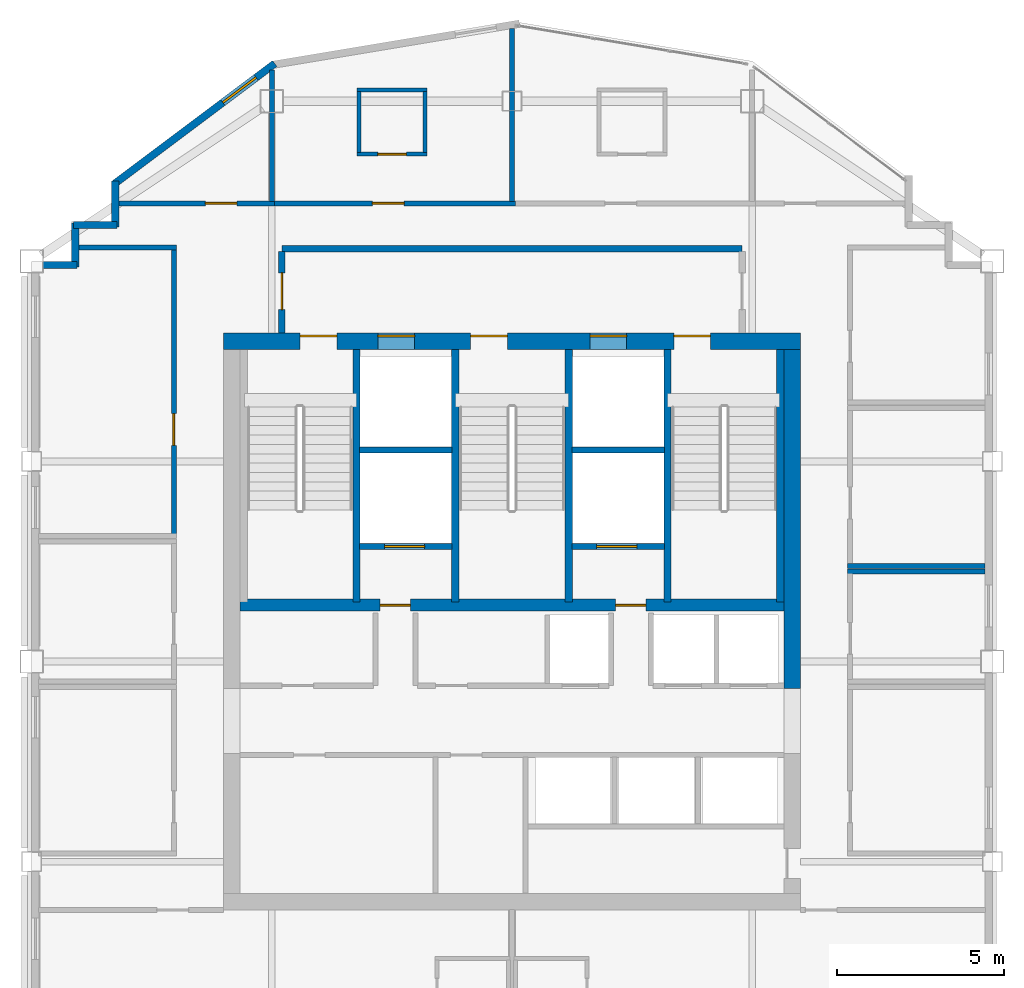
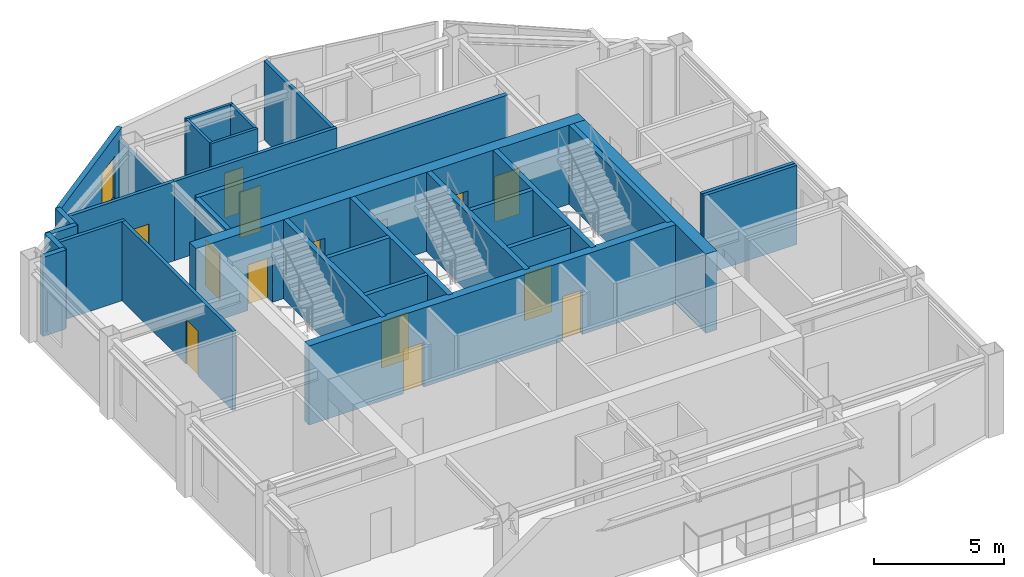
# One storey, part 6 of 8: 31 walls, 14 doors, 1 window, 15 openings.
"""IFC4 building model written with IfcOpenShell, lengths in metres."""

from ifc_helpers import new_model, si_unit, direction, frame, frame_2d, origin, place, context, subcontext, project, spatial, rectangle, extrude, material, layer, layer_set, type_object, element, fill, save


model = new_model("IFC4")

# Units and contexts
model_context = context("Model", 3, precision=1e-05, world=origin(), true_north=direction((0.0, 1.0)))
body_context = subcontext(model_context, "Body", "Model", "MODEL_VIEW")
ifc_project = project(units=[si_unit("LENGTHUNIT", "METRE"), si_unit("AREAUNIT", "SQUARE_METRE"), si_unit("VOLUMEUNIT", "CUBIC_METRE"), si_unit("PLANEANGLEUNIT", "RADIAN"), si_unit("MASSUNIT", "GRAM", prefix="KILO")], contexts=[model_context])

# Site, building, storey
site_placement = place(None, origin())
site = spatial("IfcSite", under=ifc_project, at=site_placement, CompositionType="ELEMENT")
building_placement = place(site_placement, origin())
building = spatial("IfcBuilding", under=site, at=building_placement, Name="Haolan Belvedere Tower", CompositionType="ELEMENT")
storey_placement = place(building_placement, frame((0.0, 0.0, 293.89990234375)))
storey = spatial("IfcBuildingStorey", under=building, at=storey_placement, Name="L74", CompositionType="ELEMENT", Elevation=293.89990234375)

# Wall, openings, doors
ifc_material_1 = material(Name="Concrete C50/60", Category="concrete")
ifc_layer_1 = layer(ifc_material_1, 0.5, Name="Concrete C50/60")
ifc_layer_set_1 = layer_set([ifc_layer_1], Name="Concrete C50/60")
wall_type_1 = type_object("IfcWallType", Name="WL-CORE-500", PredefinedType="SHEAR", material=ifc_layer_set_1)
wall_1_placement = place(storey_placement, frame((29.75, 43.199951171875, 0.0), z_axis=(0.0, 0.0, 1.0), x_axis=(1.0, 0.0, 0.0)))
wall_1 = element("IfcWall", 1, at=wall_1_placement, inside=storey, type_object=wall_type_1, Name="L74 central core north shear wall", PredefinedType="SHEAR", context=body_context, shape_type="SweptSolid", body=[
    extrude(rectangle(XDim=17.300048828125, YDim=0.5, at=frame_2d((8.64990234375, 0.0))), origin(), (0.0, 0.0, 1.0), 3.72021484375),
])
opening_1_placement = place(wall_1_placement, frame((2.300048828125, 0.0, 0.0)))
opening_1 = element("IfcOpeningElement", 2, at=opening_1_placement, cuts=wall_1, Name="Opening FD-03", PredefinedType="OPENING", context=body_context, shape_type="SweptSolid", body=[
    extrude(rectangle(XDim=1.10009765625, YDim=2.14990234375, at=frame_2d((0.550048828125, 1.074951171875))), frame((0.0, 0.260009765625, 0.0), z_axis=(0.0, -1.0, 0.0), x_axis=(1.0, 0.0, 0.0)), (0.0, 0.0, 1.0), 0.52001953125),
])
opening_2_placement = place(wall_1_placement, frame((7.409912109375, 0.0, 0.0)))
opening_2 = element("IfcOpeningElement", 3, at=opening_2_placement, cuts=wall_1, Name="Opening FD-03", PredefinedType="OPENING", context=body_context, shape_type="SweptSolid", body=[
    extrude(rectangle(XDim=1.10009765625, YDim=2.14990234375, at=frame_2d((0.550048828125, 1.074951171875))), frame((0.0, 0.260009765625, 0.0), z_axis=(0.0, -1.0, 0.0), x_axis=(1.0, 0.0, 0.0)), (0.0, 0.0, 1.0), 0.52001953125),
])
opening_3_placement = place(wall_1_placement, frame((13.5, 0.0, 0.0)))
opening_3 = element("IfcOpeningElement", 4, at=opening_3_placement, cuts=wall_1, Name="Opening FD-03", PredefinedType="OPENING", context=body_context, shape_type="SweptSolid", body=[
    extrude(rectangle(XDim=1.10009765625, YDim=2.14990234375, at=frame_2d((0.550048828125, 1.074951171875))), frame((0.0, 0.260009765625, 0.0), z_axis=(0.0, -1.0, 0.0), x_axis=(1.0, 0.0, 0.0)), (0.0, 0.0, 1.0), 0.52001953125),
])
opening_4_placement = place(wall_1_placement, frame((4.6298828125, 0.0, 0.0)))
opening_4 = element("IfcOpeningElement", 5, at=opening_4_placement, cuts=wall_1, Name="Opening LD-01", PredefinedType="OPENING", context=body_context, shape_type="SweptSolid", body=[
    extrude(rectangle(XDim=1.10009765625, YDim=2.199951171875, at=frame_2d((0.550048828125, 1.10009765625))), frame((0.0, 0.260009765625, 0.0), z_axis=(0.0, -1.0, 0.0), x_axis=(1.0, 0.0, 0.0)), (0.0, 0.0, 1.0), 0.52001953125),
])
opening_5_placement = place(wall_1_placement, frame((10.989990234375, 0.0, 0.0)))
opening_5 = element("IfcOpeningElement", 6, at=opening_5_placement, cuts=wall_1, Name="Opening LD-01", PredefinedType="OPENING", context=body_context, shape_type="SweptSolid", body=[
    extrude(rectangle(XDim=1.10009765625, YDim=2.199951171875, at=frame_2d((0.550048828125, 1.10009765625))), frame((0.0, 0.260009765625, 0.0), z_axis=(0.0, -1.0, 0.0), x_axis=(1.0, 0.0, 0.0)), (0.0, 0.0, 1.0), 0.52001953125),
])
ifc_material_2 = material(Name="Galvanised fire-rated steel", Category="steel")
door_type_1 = type_object("IfcDoorType", Name="DR-FD90-1100", OperationType="NOTDEFINED", PredefinedType="DOOR", material=ifc_material_2)
door_1_placement = place(opening_1_placement, origin())
door_1 = element("IfcDoor", 7, at=door_1_placement, inside=storey, type_object=door_type_1, Name="L74 door CD-L74-ST1", OperationType="SINGLE_SWING_LEFT", OverallHeight=2.14990234375, OverallWidth=1.10009765625, PredefinedType="DOOR", context=body_context, shape_type="SweptSolid", body=[
    extrude(rectangle(XDim=1.10009765625, YDim=2.14990234375, at=frame_2d((0.550048828125, 1.074951171875))), frame((0.0, 0.18505859375, 0.0), z_axis=(0.0, -1.0, 0.0), x_axis=(1.0, 0.0, 0.0)), (0.0, 0.0, 1.0), 0.050048828125),
])
fill(opening_1, door_1)
door_2_placement = place(opening_2_placement, origin())
door_2 = element("IfcDoor", 8, at=door_2_placement, inside=storey, type_object=door_type_1, Name="L74 door CD-L74-ST3", OperationType="SINGLE_SWING_LEFT", OverallHeight=2.14990234375, OverallWidth=1.10009765625, PredefinedType="DOOR", context=body_context, shape_type="SweptSolid", body=[
    extrude(rectangle(XDim=1.10009765625, YDim=2.14990234375, at=frame_2d((0.550048828125, 1.074951171875))), frame((0.0, 0.18505859375, 0.0), z_axis=(0.0, -1.0, 0.0), x_axis=(1.0, 0.0, 0.0)), (0.0, 0.0, 1.0), 0.050048828125),
])
fill(opening_2, door_2)
door_3_placement = place(opening_3_placement, origin())
door_3 = element("IfcDoor", 9, at=door_3_placement, inside=storey, type_object=door_type_1, Name="L74 door CD-L74-ST2", OperationType="SINGLE_SWING_RIGHT", OverallHeight=2.14990234375, OverallWidth=1.10009765625, PredefinedType="DOOR", context=body_context, shape_type="SweptSolid", body=[
    extrude(rectangle(XDim=1.10009765625, YDim=2.14990234375, at=frame_2d((0.550048828125, 1.074951171875))), frame((0.0, 0.18505859375, 0.0), z_axis=(0.0, -1.0, 0.0), x_axis=(1.0, 0.0, 0.0)), (0.0, 0.0, 1.0), 0.050048828125),
])
fill(opening_3, door_3)
ifc_material_3 = material(Name="Brushed champagne stainless steel 316L", Category="steel")
door_type_2 = type_object("IfcDoorType", Name="DR-LIFT-1100", OperationType="SLIDING_TO_LEFT", PredefinedType="DOOR", material=ifc_material_3)
door_4_placement = place(opening_4_placement, origin())
door_4 = element("IfcDoor", 10, at=door_4_placement, inside=storey, type_object=door_type_2, Name="L74 door LD-L74-FF1", OperationType="SLIDING_TO_LEFT", OverallHeight=2.199951171875, OverallWidth=1.10009765625, PredefinedType="DOOR", context=body_context, shape_type="SweptSolid", body=[
    extrude(rectangle(XDim=1.10009765625, YDim=2.199951171875, at=frame_2d((0.550048828125, 1.10009765625))), frame((0.0, 0.18505859375, 0.0), z_axis=(0.0, -1.0, 0.0), x_axis=(1.0, 0.0, 0.0)), (0.0, 0.0, 1.0), 0.050048828125),
])
fill(opening_4, door_4)
door_5_placement = place(opening_5_placement, origin())
door_5 = element("IfcDoor", 11, at=door_5_placement, inside=storey, type_object=door_type_2, Name="L74 door LD-L74-FF2", OperationType="SLIDING_TO_LEFT", OverallHeight=2.199951171875, OverallWidth=1.10009765625, PredefinedType="DOOR", context=body_context, shape_type="SweptSolid", body=[
    extrude(rectangle(XDim=1.10009765625, YDim=2.199951171875, at=frame_2d((0.550048828125, 1.10009765625))), frame((0.0, 0.18505859375, 0.0), z_axis=(0.0, -1.0, 0.0), x_axis=(1.0, 0.0, 0.0)), (0.0, 0.0, 1.0), 0.050048828125),
])
fill(opening_5, door_5)

# Wall
wall_2_placement = place(storey_placement, frame((46.800048828125, 32.800048828125, 0.0), z_axis=(0.0, 0.0, 1.0), x_axis=(0.0, 1.0, 0.0)))
element("IfcWall", 12, at=wall_2_placement, inside=storey, type_object=wall_type_1, Name="L74 central core shear wall EN", PredefinedType="SHEAR", context=body_context, shape_type="SweptSolid", body=[
    extrude(rectangle(XDim=10.14990234375, YDim=0.5, at=frame_2d((5.074951171875, 0.0))), origin(), (0.0, 0.0, 1.0), 3.72021484375),
])

# Wall, opening, window
ifc_material_4 = material(Name="Precast concrete C40/50", Category="concrete")
ifc_layer_2 = layer(ifc_material_4, 0.219970703125, Name="Precast concrete C40/50")
ifc_layer_set_2 = layer_set([ifc_layer_2], Name="Precast concrete C40/50")
wall_type_2 = type_object("IfcWallType", Name="WL-EXT-220", PredefinedType="SOLIDWALL", material=ifc_layer_set_2)
wall_3_placement = place(storey_placement, frame((31.28857421875, 51.52880859375, 0.0), z_axis=(0.0, 0.0, 1.0), x_axis=(-0.800014580093, -0.599980559383, 0.0)))
wall_3 = element("IfcWall", 13, at=wall_3_placement, inside=storey, type_object=wall_type_2, Name="L74 pale-metal exterior spandrel wall 11.1", PredefinedType="SOLIDWALL", context=body_context, shape_type="SweptSolid", body=[
    extrude(rectangle(XDim=6.028076171875, YDim=0.219970703125, at=frame_2d((3.01416015625, 0.0))), origin(), (0.0, 0.0, 1.0), 3.72021484375),
])
opening_6_placement = place(wall_3_placement, frame((0.699951171875, 0.0, 0.85009765625)))
opening_6 = element("IfcOpeningElement", 14, at=opening_6_placement, cuts=wall_3, Name="Opening W-04", PredefinedType="OPENING", context=body_context, shape_type="SweptSolid", body=[
    extrude(rectangle(XDim=1.25, YDim=1.949951171875, at=frame_2d((0.625, 0.97509765625))), frame((0.0, 0.119873046875, 0.0), z_axis=(0.0, -1.0, 0.0), x_axis=(1.0, 0.0, 0.0)), (0.0, 0.0, 1.0), 0.239990234375),
])
ifc_material_5 = material(Name="Anodised aluminium 6063-T6 and Low-E glass", Category="aluminium")
window_type = type_object("IfcWindowType", Name="WN-DECO-Z4", PartitioningType="SINGLE_PANEL", PredefinedType="WINDOW", material=ifc_material_5)
window_placement = place(opening_6_placement, origin())
window = element("IfcWindow", 15, at=window_placement, inside=storey, type_object=window_type, Name="L74 Art Deco chevron window 1", OverallHeight=1.949951171875, OverallWidth=1.25, PartitioningType="SINGLE_PANEL", PredefinedType="WINDOW", context=body_context, shape_type="SweptSolid", body=[
    extrude(rectangle(XDim=1.25, YDim=1.949951171875, at=frame_2d((0.625, 0.97509765625))), frame((0.0, 0.030029296875, 0.0), z_axis=(0.0, -1.0, 0.0), x_axis=(1.0, 0.0, 0.0)), (0.0, 0.0, 1.0), 0.06005859375),
])
fill(opening_6, window)

# Walls
wall_4_placement = place(storey_placement, frame((26.510009765625, 48.0, 0.0), z_axis=(0.0, 0.0, 1.0), x_axis=(0.0, -1.0, 0.0)))
element("IfcWall", 16, at=wall_4_placement, inside=storey, type_object=wall_type_2, Name="L74 pale-metal exterior spandrel wall 12.1", PredefinedType="SOLIDWALL", context=body_context, shape_type="SweptSolid", body=[
    extrude(rectangle(XDim=1.364990234375, YDim=0.219970703125, at=frame_2d((0.6826171875, 0.0))), origin(), (0.0, 0.0, 1.0), 3.72021484375),
])
for number, where, z_axis, x_axis, name in (
    (17, (26.56494140625, 46.68994140625, 0.0), (0.0, 0.0, 1.0), (-1.0, 0.0, 0.0), "L74 pale-metal exterior spandrel wall 13.1"),
    (18, (25.31005859375, 46.7451171875, 0.0), (0.0, 0.0, 1.0), (0.0, -1.0, 0.0), "L74 pale-metal exterior spandrel wall 14.1"),
):
    element("IfcWall", number, at=place(storey_placement, frame(where, z_axis=z_axis, x_axis=x_axis)), inside=storey, type_object=wall_type_2, Name=name, PredefinedType="SOLIDWALL", context=body_context, shape_type="SweptSolid", body=[
        extrude(rectangle(XDim=1.31005859375, YDim=0.219970703125, at=frame_2d((0.655029296875, 0.0))), origin(), (0.0, 0.0, 1.0), 3.72021484375),
    ])
wall_5_placement = place(storey_placement, frame((25.364990234375, 45.489990234375, 0.0), z_axis=(0.0, 0.0, 1.0), x_axis=(-1.0, 0.0, 0.0)))
element("IfcWall", 19, at=wall_5_placement, inside=storey, type_object=wall_type_2, Name="L74 pale-metal exterior spandrel wall 15.1", PredefinedType="SOLIDWALL", context=body_context, shape_type="SweptSolid", body=[
    extrude(rectangle(XDim=1.02294921875, YDim=0.219970703125, at=frame_2d((0.511474609375, 0.0))), origin(), (0.0, 0.0, 1.0), 3.72021484375),
])
ifc_material_6 = material(Name="Concrete C40/50", Category="concrete")
ifc_layer_3 = layer(ifc_material_6, 0.199951171875, Name="Concrete C40/50")
ifc_layer_set_3 = layer_set([ifc_layer_3], Name="Concrete C40/50")
wall_type_3 = type_object("IfcWallType", Name="WL-FIRE-200", PredefinedType="SOLIDWALL", material=ifc_layer_set_3)
wall_6_placement = place(storey_placement, frame((31.5, 45.97998046875, 0.0), z_axis=(0.0, 0.0, 1.0), x_axis=(1.0, 0.0, 0.0)))
element("IfcWall", 20, at=wall_6_placement, inside=storey, type_object=wall_type_3, Name="L74 interior partition IW-L74-FFL-N", PredefinedType="SOLIDWALL", context=body_context, shape_type="SweptSolid", body=[
    extrude(rectangle(XDim=13.800048828125, YDim=0.199951171875, at=frame_2d((6.89990234375, 0.0))), origin(), (0.0, 0.0, 1.0), 3.72021484375),
])

# Wall, opening, door
wall_7_placement = place(storey_placement, frame((31.5, 43.449951171875, 0.0), z_axis=(0.0, 0.0, 1.0), x_axis=(0.0, 1.0, 0.0)))
wall_7 = element("IfcWall", 21, at=wall_7_placement, inside=storey, type_object=wall_type_3, Name="L74 interior partition IW-L74-FFL-W", PredefinedType="SOLIDWALL", context=body_context, shape_type="SweptSolid", body=[
    extrude(rectangle(XDim=2.445068359375, YDim=0.199951171875, at=frame_2d((1.22265625, 0.0))), origin(), (0.0, 0.0, 1.0), 3.72021484375),
])
opening_7_placement = place(wall_7_placement, frame((1.800048828125, 0.0, 0.0), z_axis=(0.0, 0.0, 1.0), x_axis=(-1.0, 0.0, 0.0)))
opening_7 = element("IfcOpeningElement", 22, at=opening_7_placement, cuts=wall_7, Name="Opening FD-03", PredefinedType="OPENING", context=body_context, shape_type="SweptSolid", body=[
    extrude(rectangle(XDim=1.10009765625, YDim=2.14990234375, at=frame_2d((0.550048828125, 1.074951171875))), frame((0.0, 0.10986328125, 0.0), z_axis=(0.0, -1.0, 0.0), x_axis=(1.0, 0.0, 0.0)), (0.0, 0.0, 1.0), 0.219970703125),
])
door_6_placement = place(opening_7_placement, origin())
door_6 = element("IfcDoor", 23, at=door_6_placement, inside=storey, type_object=door_type_1, Name="L74 door ID-L74-FFL-DW", OperationType="SINGLE_SWING_LEFT", OverallHeight=2.14990234375, OverallWidth=1.10009765625, PredefinedType="DOOR", context=body_context, shape_type="SweptSolid", body=[
    extrude(rectangle(XDim=1.10009765625, YDim=2.14990234375, at=frame_2d((0.550048828125, 1.074951171875))), frame((0.0, 0.02490234375, 0.0), z_axis=(0.0, -1.0, 0.0), x_axis=(1.0, 0.0, 0.0)), (0.0, 0.0, 1.0), 0.050048828125),
])
fill(opening_7, door_6)

# Wall
ifc_material_7 = material(Name="Double gypsum acoustic stud partition", Category="masonry")
ifc_layer_4 = layer(ifc_material_7, 0.14990234375, Name="Double gypsum acoustic stud partition")
ifc_layer_set_4 = layer_set([ifc_layer_4], Name="Double gypsum acoustic stud partition")
wall_type_4 = type_object("IfcWallType", Name="WL-PART-150", PredefinedType="PARTITIONING", material=ifc_layer_set_4)
wall_8_placement = place(storey_placement, frame((25.412109375, 46.02001953125, 0.0), z_axis=(0.0, 0.0, 1.0), x_axis=(1.0, 0.0, 0.0)))
element("IfcWall", 24, at=wall_8_placement, inside=storey, type_object=wall_type_4, Name="L74 interior partition IW-L74-MTG-N", PredefinedType="PARTITIONING", context=body_context, shape_type="SweptSolid", body=[
    extrude(rectangle(XDim=2.927978515625, YDim=0.14990234375, at=frame_2d((1.4638671875, 0.0))), origin(), (0.0, 0.0, 1.0), 3.72021484375),
])

# Wall, opening, door
wall_9_placement = place(storey_placement, frame((28.260009765625, 37.419921875, 0.0), z_axis=(0.0, 0.0, 1.0), x_axis=(0.0, 1.0, 0.0)))
wall_9 = element("IfcWall", 25, at=wall_9_placement, inside=storey, type_object=wall_type_4, Name="L74 interior partition IW-L74-MTG-E", PredefinedType="PARTITIONING", context=body_context, shape_type="SweptSolid", body=[
    extrude(rectangle(XDim=8.5400390625, YDim=0.14990234375, at=frame_2d((4.27001953125, 0.0))), origin(), (0.0, 0.0, 1.0), 3.72021484375),
])
opening_8_placement = place(wall_9_placement, frame((3.60986328125, 0.0, 0.0), z_axis=(0.0, 0.0, 1.0), x_axis=(-1.0, 0.0, 0.0)))
opening_8 = element("IfcOpeningElement", 26, at=opening_8_placement, cuts=wall_9, Name="Opening ID-03", PredefinedType="OPENING", context=body_context, shape_type="SweptSolid", body=[
    extrude(rectangle(XDim=0.949951171875, YDim=2.1201171875, at=frame_2d((0.47509765625, 1.06005859375))), frame((0.0, 0.0849609375, 0.0), z_axis=(0.0, -1.0, 0.0), x_axis=(1.0, 0.0, 0.0)), (0.0, 0.0, 1.0), 0.169921875),
])
ifc_material_8 = material(Name="Painted solid-core timber", Category="wood")
door_type_3 = type_object("IfcDoorType", Name="DR-INT-950", OperationType="NOTDEFINED", PredefinedType="DOOR", material=ifc_material_8)
door_7_placement = place(opening_8_placement, origin())
door_7 = element("IfcDoor", 27, at=door_7_placement, inside=storey, type_object=door_type_3, Name="L74 door ID-L74-MTG", OperationType="SINGLE_SWING_RIGHT", OverallHeight=2.1201171875, OverallWidth=0.949951171875, PredefinedType="DOOR", context=body_context, shape_type="SweptSolid", body=[
    extrude(rectangle(XDim=0.949951171875, YDim=2.1201171875, at=frame_2d((0.47509765625, 1.06005859375))), frame((0.0, 0.02490234375, 0.0), z_axis=(0.0, -1.0, 0.0), x_axis=(1.0, 0.0, 0.0)), (0.0, 0.0, 1.0), 0.050048828125),
])
fill(opening_8, door_7)

# Walls
for number, where, z_axis, x_axis, name in (
    (28, (48.4599609375, 36.300048828125, 0.0), (0.0, 0.0, 1.0), (1.0, 0.0, 0.0), "L74 interior partition IW-L74-AWC-N"),
    (29, (48.4599609375, 36.4599609375, 0.0), (0.0, 0.0, 1.0), (1.0, 0.0, 0.0), "L74 interior partition IW-L74-STY-S"),
):
    element("IfcWall", number, at=place(storey_placement, frame(where, z_axis=z_axis, x_axis=x_axis)), inside=storey, type_object=wall_type_4, Name=name, PredefinedType="PARTITIONING", context=body_context, shape_type="SweptSolid", body=[
        extrude(rectangle(XDim=4.1279296875, YDim=0.14990234375, at=frame_2d((2.06396484375, 0.0))), origin(), (0.0, 0.0, 1.0), 3.72021484375),
    ])

# Wall, opening, door
wall_10_placement = place(storey_placement, frame((26.612060546875, 47.340087890625, 0.0), z_axis=(0.0, 0.0, 1.0), x_axis=(1.0, 0.0, 0.0)))
wall_10 = element("IfcWall", 30, at=wall_10_placement, inside=storey, type_object=wall_type_4, Name="L74 interior partition IW-L74-KN1-S", PredefinedType="PARTITIONING", context=body_context, shape_type="SweptSolid", body=[
    extrude(rectangle(XDim=4.66796875, YDim=0.14990234375, at=frame_2d((2.333984375, 0.0))), origin(), (0.0, 0.0, 1.0), 3.72021484375),
])
opening_9_placement = place(wall_10_placement, frame((2.593017578125, 0.0, 0.0)))
opening_9 = element("IfcOpeningElement", 31, at=opening_9_placement, cuts=wall_10, Name="Opening ID-03", PredefinedType="OPENING", context=body_context, shape_type="SweptSolid", body=[
    extrude(rectangle(XDim=0.949951171875, YDim=2.1201171875, at=frame_2d((0.47509765625, 1.06005859375))), frame((0.0, 0.0849609375, 0.0), z_axis=(0.0, -1.0, 0.0), x_axis=(1.0, 0.0, 0.0)), (0.0, 0.0, 1.0), 0.169921875),
])
door_8_placement = place(opening_9_placement, origin())
door_8 = element("IfcDoor", 32, at=door_8_placement, inside=storey, type_object=door_type_3, Name="L74 door ID-L74-KN1", OperationType="SINGLE_SWING_RIGHT", OverallHeight=2.1201171875, OverallWidth=0.949951171875, PredefinedType="DOOR", context=body_context, shape_type="SweptSolid", body=[
    extrude(rectangle(XDim=0.949951171875, YDim=2.1201171875, at=frame_2d((0.47509765625, 1.06005859375))), frame((0.0, 0.02490234375, 0.0), z_axis=(0.0, -1.0, 0.0), x_axis=(1.0, 0.0, 0.0)), (0.0, 0.0, 1.0), 0.050048828125),
])
fill(opening_9, door_8)

# Wall
wall_11_placement = place(storey_placement, frame((31.199951171875, 47.39990234375, 0.0), z_axis=(0.0, 0.0, 1.0), x_axis=(0.0, 1.0, 0.0)))
element("IfcWall", 33, at=wall_11_placement, inside=storey, type_object=wall_type_4, Name="L74 interior partition IW-L74-KN1-E", PredefinedType="PARTITIONING", context=body_context, shape_type="SweptSolid", body=[
    extrude(rectangle(XDim=3.93505859375, YDim=0.14990234375, at=frame_2d((1.967529296875, 0.0))), origin(), (0.0, 0.0, 1.0), 3.255126953125),
])

# Wall, opening, door
wall_12_placement = place(storey_placement, frame((31.281982421875, 47.340087890625, 0.0), z_axis=(0.0, 0.0, 1.0), x_axis=(1.0, 0.0, 0.0)))
wall_12 = element("IfcWall", 34, at=wall_12_placement, inside=storey, type_object=wall_type_4, Name="L74 interior partition IW-L74-KN2-S", PredefinedType="PARTITIONING", context=body_context, shape_type="SweptSolid", body=[
    extrude(rectangle(XDim=7.218017578125, YDim=0.14990234375, at=frame_2d((3.60888671875, 0.0))), origin(), (0.0, 0.0, 1.0), 3.72021484375),
])
opening_10_placement = place(wall_12_placement, frame((2.93017578125, 0.0, 0.0)))
opening_10 = element("IfcOpeningElement", 35, at=opening_10_placement, cuts=wall_12, Name="Opening ID-02", PredefinedType="OPENING", context=body_context, shape_type="SweptSolid", body=[
    extrude(rectangle(XDim=0.949951171875, YDim=2.14990234375, at=frame_2d((0.47509765625, 1.074951171875))), frame((0.0, 0.0849609375, 0.0), z_axis=(0.0, -1.0, 0.0), x_axis=(1.0, 0.0, 0.0)), (0.0, 0.0, 1.0), 0.169921875),
])
ifc_material_9 = material(Name="Acoustic oak veneer fire-rated timber", Category="wood")
door_type_4 = type_object("IfcDoorType", Name="DR-GUEST-950", OperationType="NOTDEFINED", PredefinedType="DOOR", material=ifc_material_9)
door_9_placement = place(opening_10_placement, origin())
door_9 = element("IfcDoor", 36, at=door_9_placement, inside=storey, type_object=door_type_4, Name="L74 door ID-L74-KN2-ENT", OperationType="SINGLE_SWING_LEFT", OverallHeight=2.14990234375, OverallWidth=0.949951171875, PredefinedType="DOOR", context=body_context, shape_type="SweptSolid", body=[
    extrude(rectangle(XDim=0.949951171875, YDim=2.14990234375, at=frame_2d((0.47509765625, 1.074951171875))), frame((0.0, 0.02490234375, 0.0), z_axis=(0.0, -1.0, 0.0), x_axis=(1.0, 0.0, 0.0)), (0.0, 0.0, 1.0), 0.050048828125),
])
fill(opening_10, door_9)

# Walls
wall_13_placement = place(storey_placement, frame((38.39990234375, 47.39990234375, 0.0), z_axis=(0.0, 0.0, 1.0), x_axis=(0.0, 1.0, 0.0)))
element("IfcWall", 37, at=wall_13_placement, inside=storey, type_object=wall_type_4, Name="L74 interior partition IW-L74-KN2-E", PredefinedType="PARTITIONING", context=body_context, shape_type="SweptSolid", body=[
    extrude(rectangle(XDim=5.185302734375, YDim=0.14990234375, at=frame_2d((2.5927734375, 0.0))), origin(), (0.0, 0.0, 1.0), 3.72021484375),
])
ifc_layer_5 = layer(ifc_material_4, 0.179931640625, Name="Precast concrete C40/50")
ifc_layer_set_5 = layer_set([ifc_layer_5], Name="Precast concrete C40/50")
wall_type_5 = type_object("IfcWallType", Name="WL-SHAFT-180", PredefinedType="SOLIDWALL", material=ifc_layer_set_5)
for number, where, z_axis, x_axis, name in (
    (38, (33.8349609375, 39.949951171875, 0.0), (0.0, 0.0, 1.0), (1.0, 0.0, 0.0), "L74 interior partition IW-L74-FF1-S"),
    (39, (40.195068359375, 39.949951171875, 0.0), (0.0, 0.0, 1.0), (1.0, 0.0, 0.0), "L74 interior partition IW-L74-FF2-S"),
):
    element("IfcWall", number, at=place(storey_placement, frame(where, z_axis=z_axis, x_axis=x_axis)), inside=storey, type_object=wall_type_5, Name=name, PredefinedType="SOLIDWALL", context=body_context, shape_type="SweptSolid", body=[
        extrude(rectangle(XDim=2.77001953125, YDim=0.179931640625, at=frame_2d((1.385009765625, 0.0))), origin(), (0.0, 0.0, 1.0), 3.72021484375),
    ])

# Wall, opening, door
wall_14_placement = place(storey_placement, frame((33.8349609375, 37.050048828125, 0.0), z_axis=(0.0, 0.0, 1.0), x_axis=(1.0, 0.0, 0.0)))
wall_14 = element("IfcWall", 40, at=wall_14_placement, inside=storey, type_object=wall_type_5, Name="L74 interior partition IW-L74-SV1-S", PredefinedType="SOLIDWALL", context=body_context, shape_type="SweptSolid", body=[
    extrude(rectangle(XDim=2.77001953125, YDim=0.179931640625, at=frame_2d((1.385009765625, 0.0))), origin(), (0.0, 0.0, 1.0), 3.72021484375),
])
opening_11_placement = place(wall_14_placement, frame((1.945068359375, 0.0, 0.0), z_axis=(0.0, 0.0, 1.0), x_axis=(-1.0, 0.0, 0.0)))
opening_11 = element("IfcOpeningElement", 41, at=opening_11_placement, cuts=wall_14, Name="Opening LD-02", PredefinedType="OPENING", context=body_context, shape_type="SweptSolid", body=[
    extrude(rectangle(XDim=1.199951171875, YDim=2.199951171875, at=frame_2d((0.60009765625, 1.10009765625))), frame((0.0, 0.099853515625, 0.0), z_axis=(0.0, -1.0, 0.0), x_axis=(1.0, 0.0, 0.0)), (0.0, 0.0, 1.0), 0.199951171875),
])
door_type_5 = type_object("IfcDoorType", Name="DR-LIFT-1200", OperationType="SLIDING_TO_RIGHT", PredefinedType="DOOR", material=ifc_material_3)
door_10_placement = place(opening_11_placement, origin())
door_10 = element("IfcDoor", 42, at=door_10_placement, inside=storey, type_object=door_type_5, Name="L74 door ID-L74-LD-SV1", OperationType="SLIDING_TO_RIGHT", OverallHeight=2.199951171875, OverallWidth=1.199951171875, PredefinedType="DOOR", context=body_context, shape_type="SweptSolid", body=[
    extrude(rectangle(XDim=1.199951171875, YDim=2.199951171875, at=frame_2d((0.60009765625, 1.10009765625))), frame((0.0, 0.02490234375, 0.0), z_axis=(0.0, -1.0, 0.0), x_axis=(1.0, 0.0, 0.0)), (0.0, 0.0, 1.0), 0.050048828125),
])
fill(opening_11, door_10)

wall_15_placement = place(storey_placement, frame((40.195068359375, 37.050048828125, 0.0), z_axis=(0.0, 0.0, 1.0), x_axis=(1.0, 0.0, 0.0)))
wall_15 = element("IfcWall", 43, at=wall_15_placement, inside=storey, type_object=wall_type_5, Name="L74 interior partition IW-L74-SV2-S", PredefinedType="SOLIDWALL", context=body_context, shape_type="SweptSolid", body=[
    extrude(rectangle(XDim=2.77001953125, YDim=0.179931640625, at=frame_2d((1.385009765625, 0.0))), origin(), (0.0, 0.0, 1.0), 3.72021484375),
])
opening_12_placement = place(wall_15_placement, frame((1.945068359375, 0.0, 0.0), z_axis=(0.0, 0.0, 1.0), x_axis=(-1.0, 0.0, 0.0)))
opening_12 = element("IfcOpeningElement", 44, at=opening_12_placement, cuts=wall_15, Name="Opening LD-02", PredefinedType="OPENING", context=body_context, shape_type="SweptSolid", body=[
    extrude(rectangle(XDim=1.199951171875, YDim=2.199951171875, at=frame_2d((0.60009765625, 1.10009765625))), frame((0.0, 0.099853515625, 0.0), z_axis=(0.0, -1.0, 0.0), x_axis=(1.0, 0.0, 0.0)), (0.0, 0.0, 1.0), 0.199951171875),
])
door_11_placement = place(opening_12_placement, origin())
door_11 = element("IfcDoor", 45, at=door_11_placement, inside=storey, type_object=door_type_5, Name="L74 door ID-L74-LD-SV2", OperationType="SLIDING_TO_RIGHT", OverallHeight=2.199951171875, OverallWidth=1.199951171875, PredefinedType="DOOR", context=body_context, shape_type="SweptSolid", body=[
    extrude(rectangle(XDim=1.199951171875, YDim=2.199951171875, at=frame_2d((0.60009765625, 1.10009765625))), frame((0.0, 0.02490234375, 0.0), z_axis=(0.0, -1.0, 0.0), x_axis=(1.0, 0.0, 0.0)), (0.0, 0.0, 1.0), 0.050048828125),
])
fill(opening_12, door_11)

# Walls
ifc_layer_6 = layer(ifc_material_1, 0.219970703125, Name="Concrete C50/60")
ifc_layer_set_6 = layer_set([ifc_layer_6], Name="Concrete C50/60")
wall_type_6 = type_object("IfcWallType", Name="WL-STAIR-220", PredefinedType="SHEAR", material=ifc_layer_set_6)
for number, where, z_axis, x_axis, name in (
    (46, (33.739990234375, 35.389892578125, 0.0), (0.0, 0.0, 1.0), (0.0, 1.0, 0.0), "L74 structural stair core wall ST1E"),
    (47, (36.699951171875, 35.389892578125, 0.0), (0.0, 0.0, 1.0), (0.0, 1.0, 0.0), "L74 structural stair core wall ST3W"),
    (48, (40.10009765625, 35.389892578125, 0.0), (0.0, 0.0, 1.0), (0.0, 1.0, 0.0), "L74 structural stair core wall ST3E"),
    (49, (43.06005859375, 35.389892578125, 0.0), (0.0, 0.0, 1.0), (0.0, 1.0, 0.0), "L74 structural stair core wall ST2W"),
    (50, (46.43798828125, 35.389892578125, 0.0), (0.0, 0.0, 1.0), (0.0, 1.0, 0.0), "L74 structural stair core wall ST2E"),
):
    element("IfcWall", number, at=place(storey_placement, frame(where, z_axis=z_axis, x_axis=x_axis)), inside=storey, type_object=wall_type_6, Name=name, PredefinedType="SHEAR", context=body_context, shape_type="SweptSolid", body=[
        extrude(rectangle(XDim=7.56005859375, YDim=0.219970703125, at=frame_2d((3.780029296875, 0.0))), origin(), (0.0, 0.0, 1.0), 3.72021484375),
    ])

# Wall, openings, doors
ifc_material_10 = material(Name="Concrete C60/75", Category="concrete")
ifc_layer_7 = layer(ifc_material_10, 0.360107421875, Name="Concrete C60/75")
ifc_layer_set_7 = layer_set([ifc_layer_7], Name="Concrete C60/75")
wall_type_7 = type_object("IfcWallType", Name="WL-WEB-350", PredefinedType="SHEAR", material=ifc_layer_set_7)
wall_16_placement = place(storey_placement, frame((30.25, 35.2900390625, 0.0), z_axis=(0.0, 0.0, 1.0), x_axis=(1.0, 0.0, 0.0)))
wall_16 = element("IfcWall", 51, at=wall_16_placement, inside=storey, type_object=wall_type_7, Name="L74 central core internal shear web", PredefinedType="SHEAR", context=body_context, shape_type="SweptSolid", body=[
    extrude(rectangle(XDim=16.300048828125, YDim=0.360107421875, at=frame_2d((8.14990234375, 0.0))), origin(), (0.0, 0.0, 1.0), 3.72021484375),
])
opening_13_placement = place(wall_16_placement, frame((5.099853515625, 0.0, 0.0), z_axis=(0.0, 0.0, 1.0), x_axis=(-1.0, 0.0, 0.0)))
opening_13 = element("IfcOpeningElement", 52, at=opening_13_placement, cuts=wall_16, Name="Opening FD-05", PredefinedType="OPENING", context=body_context, shape_type="SweptSolid", body=[
    extrude(rectangle(XDim=0.89990234375, YDim=2.10009765625, at=frame_2d((0.449951171875, 1.050048828125))), frame((0.0, 0.18994140625, 0.0), z_axis=(0.0, -1.0, 0.0), x_axis=(1.0, 0.0, 0.0)), (0.0, 0.0, 1.0), 0.380126953125),
])
opening_14_placement = place(wall_16_placement, frame((12.159912109375, 0.0, 0.0), z_axis=(0.0, 0.0, 1.0), x_axis=(-1.0, 0.0, 0.0)))
opening_14 = element("IfcOpeningElement", 53, at=opening_14_placement, cuts=wall_16, Name="Opening FD-05", PredefinedType="OPENING", context=body_context, shape_type="SweptSolid", body=[
    extrude(rectangle(XDim=0.89990234375, YDim=2.10009765625, at=frame_2d((0.449951171875, 1.050048828125))), frame((0.0, 0.18994140625, 0.0), z_axis=(0.0, -1.0, 0.0), x_axis=(1.0, 0.0, 0.0)), (0.0, 0.0, 1.0), 0.380126953125),
])
door_type_6 = type_object("IfcDoorType", Name="DR-FD60-900", OperationType="NOTDEFINED", PredefinedType="DOOR", material=ifc_material_2)
door_12_placement = place(opening_13_placement, origin())
door_12 = element("IfcDoor", 54, at=door_12_placement, inside=storey, type_object=door_type_6, Name="L74 door CD-L74-SVL-SV1", OperationType="SINGLE_SWING_RIGHT", OverallHeight=2.10009765625, OverallWidth=0.89990234375, PredefinedType="DOOR", context=body_context, shape_type="SweptSolid", body=[
    extrude(rectangle(XDim=0.89990234375, YDim=2.10009765625, at=frame_2d((0.449951171875, 1.050048828125))), frame((0.0, 0.02490234375, 0.0), z_axis=(0.0, -1.0, 0.0), x_axis=(1.0, 0.0, 0.0)), (0.0, 0.0, 1.0), 0.050048828125),
])
fill(opening_13, door_12)
door_13_placement = place(opening_14_placement, origin())
door_13 = element("IfcDoor", 55, at=door_13_placement, inside=storey, type_object=door_type_6, Name="L74 door CD-L74-SVL-SV2", OperationType="SINGLE_SWING_RIGHT", OverallHeight=2.10009765625, OverallWidth=0.89990234375, PredefinedType="DOOR", context=body_context, shape_type="SweptSolid", body=[
    extrude(rectangle(XDim=0.89990234375, YDim=2.10009765625, at=frame_2d((0.449951171875, 1.050048828125))), frame((0.0, 0.02490234375, 0.0), z_axis=(0.0, -1.0, 0.0), x_axis=(1.0, 0.0, 0.0)), (0.0, 0.0, 1.0), 0.050048828125),
])
fill(opening_14, door_13)

# Wall
ifc_material_11 = material(Name="Moisture-resistant gypsum tile partition", Category="masonry")
ifc_layer_8 = layer(ifc_material_11, 0.1201171875, Name="Moisture-resistant gypsum tile partition")
ifc_layer_set_8 = layer_set([ifc_layer_8], Name="Moisture-resistant gypsum tile partition")
wall_type_8 = type_object("IfcWallType", Name="WL-WET-120", PredefinedType="PARTITIONING", material=ifc_layer_set_8)
wall_17_placement = place(storey_placement, frame((33.757080078125, 50.72998046875, 0.0), z_axis=(0.0, 0.0, 1.0), x_axis=(1.0, 0.0, 0.0)))
element("IfcWall", 56, at=wall_17_placement, inside=storey, type_object=wall_type_8, Name="L74 interior partition IW-L74-KN2-BN", PredefinedType="PARTITIONING", context=body_context, shape_type="SweptSolid", body=[
    extrude(rectangle(XDim=2.099853515625, YDim=0.1201171875, at=frame_2d((1.0498046875, 0.0))), origin(), (0.0, 0.0, 1.0), 3.72021484375),
])

# Wall, opening, door
wall_18_placement = place(storey_placement, frame((33.757080078125, 48.81005859375, 0.0), z_axis=(0.0, 0.0, 1.0), x_axis=(1.0, 0.0, 0.0)))
wall_18 = element("IfcWall", 57, at=wall_18_placement, inside=storey, type_object=wall_type_8, Name="L74 interior partition IW-L74-KN2-BS", PredefinedType="PARTITIONING", context=body_context, shape_type="SweptSolid", body=[
    extrude(rectangle(XDim=2.099853515625, YDim=0.1201171875, at=frame_2d((1.0498046875, 0.0))), origin(), (0.0, 0.0, 1.0), 3.72021484375),
])
opening_15_placement = place(wall_18_placement, frame((0.625, 0.0, 0.0)))
opening_15 = element("IfcOpeningElement", 58, at=opening_15_placement, cuts=wall_18, Name="Opening ID-05", PredefinedType="OPENING", context=body_context, shape_type="SweptSolid", body=[
    extrude(rectangle(XDim=0.85009765625, YDim=2.10009765625, at=frame_2d((0.425048828125, 1.050048828125))), frame((0.0, 0.070068359375, 0.0), z_axis=(0.0, -1.0, 0.0), x_axis=(1.0, 0.0, 0.0)), (0.0, 0.0, 1.0), 0.14013671875),
])
ifc_material_12 = material(Name="Moisture-resistant lacquered timber", Category="wood")
door_type_7 = type_object("IfcDoorType", Name="DR-BATH-850", OperationType="NOTDEFINED", PredefinedType="DOOR", material=ifc_material_12)
door_14_placement = place(opening_15_placement, origin())
door_14 = element("IfcDoor", 59, at=door_14_placement, inside=storey, type_object=door_type_7, Name="L74 door ID-L74-KN2-BATH", OperationType="SINGLE_SWING_RIGHT", OverallHeight=2.10009765625, OverallWidth=0.85009765625, PredefinedType="DOOR", context=body_context, shape_type="SweptSolid", body=[
    extrude(rectangle(XDim=0.85009765625, YDim=2.10009765625, at=frame_2d((0.425048828125, 1.050048828125))), frame((0.0, 0.02490234375, 0.0), z_axis=(0.0, -1.0, 0.0), x_axis=(1.0, 0.0, 0.0)), (0.0, 0.0, 1.0), 0.050048828125),
])
fill(opening_15, door_14)

# Walls
for number, where, z_axis, x_axis, name in (
    (60, (33.81689453125, 48.85498046875, 0.0), (0.0, 0.0, 1.0), (0.0, 1.0, 0.0), "L74 interior partition IW-L74-KN2-BW"),
    (61, (35.797119140625, 48.85498046875, 0.0), (0.0, 0.0, 1.0), (0.0, 1.0, 0.0), "L74 interior partition IW-L74-KN2-BE"),
):
    element("IfcWall", number, at=place(storey_placement, frame(where, z_axis=z_axis, x_axis=x_axis)), inside=storey, type_object=wall_type_8, Name=name, PredefinedType="PARTITIONING", context=body_context, shape_type="SweptSolid", body=[
        extrude(rectangle(XDim=1.830078125, YDim=0.1201171875, at=frame_2d((0.9150390625, 0.0))), origin(), (0.0, 0.0, 1.0), 3.72021484375),
    ])

save(model, "model.ifc")
